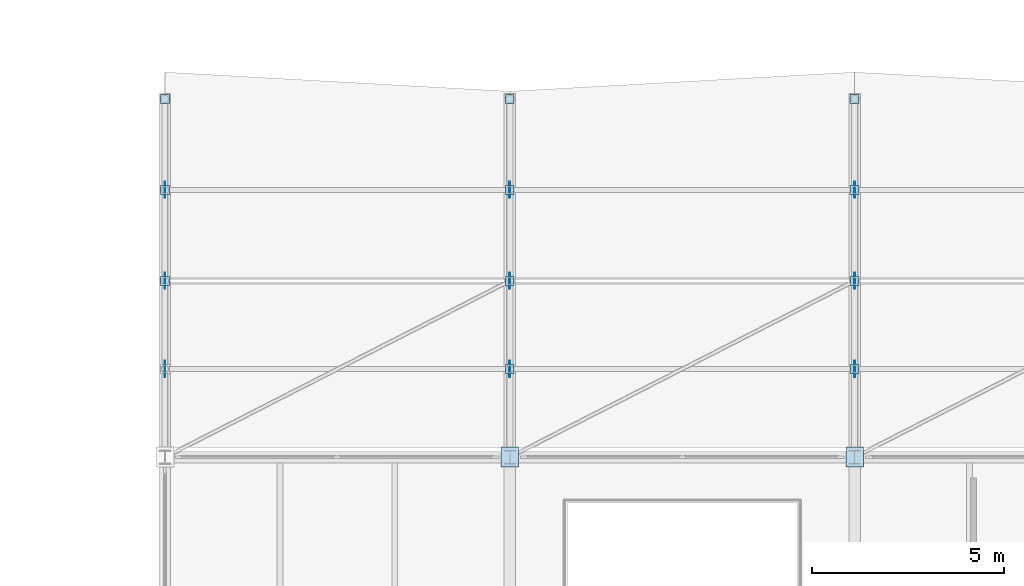
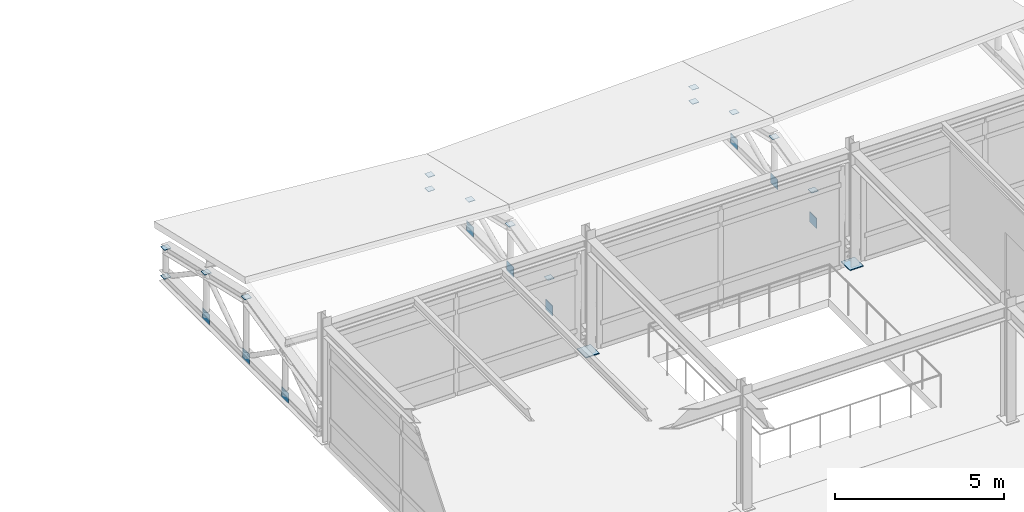
# One storey, part 37 of 55: 25 plates.
"""IFC4 building model written with IfcOpenShell, lengths in metres."""

from ifc_helpers import new_model, si_unit, direction, frame, origin, origin_2d, place, context, subcontext, project, spatial, rectangle, extrude, material, layer, layer_set, type_object, element, save


model = new_model("IFC4")

# Units and contexts
model_context = context("Model", 3, precision=1e-05, world=origin(), true_north=direction((0.0, 1.0)))
body_context = subcontext(model_context, "Body", "Model", "MODEL_VIEW")
ifc_project = project(units=[si_unit("LENGTHUNIT", "METRE"), si_unit("AREAUNIT", "SQUARE_METRE"), si_unit("VOLUMEUNIT", "CUBIC_METRE"), si_unit("PLANEANGLEUNIT", "RADIAN"), si_unit("MASSUNIT", "GRAM", prefix="KILO")], contexts=[model_context])

# Site, building, storey
site_placement = place(None, origin())
site = spatial("IfcSite", under=ifc_project, at=site_placement, CompositionType="ELEMENT")
building_placement = place(site_placement, origin())
building = spatial("IfcBuilding", under=site, at=building_placement, Name="Bozkorgan Art Gallery", CompositionType="ELEMENT")
storey_placement = place(building_placement, frame((0.0, 0.0, 15.0)))
storey = spatial("IfcBuildingStorey", under=building, at=storey_placement, Name="L03", CompositionType="ELEMENT", Elevation=15.0)

# Plates
ifc_material = material(Name="Steel S355J2", Category="steel")
ifc_layer_1 = layer(ifc_material, 0.031982421875, Name="Steel S355J2")
ifc_layer_set_1 = layer_set([ifc_layer_1], Name="Steel S355J2")
plate_type_1 = type_object("IfcPlateType", Name="PLATE-BP-73", PredefinedType="USERDEFINED", material=ifc_layer_set_1)
for number, where, z_axis, x_axis, name in (
    (1, (83.0, 84.39990234375, 0.0), (0.0, 0.0, 1.0), (1.0, 0.0, 0.0), "COL-V4-L03-83-84 base plate"),
    (2, (92.0, 84.39990234375, 0.0), (0.0, 0.0, 1.0), (1.0, 0.0, 0.0), "COL-V4-L03-92-84 base plate"),
):
    element("IfcPlate", number, at=place(storey_placement, frame(where, z_axis=z_axis, x_axis=x_axis)), inside=storey, type_object=plate_type_1, Name=name, ObjectType="END CAP PLATE", PredefinedType="USERDEFINED", context=body_context, shape_type="SweptSolid", body=[
        extrude(rectangle(XDim=0.4599609375, YDim=0.52001953125, at=origin_2d()), origin(), (0.0, 0.0, 1.0), 0.031982421875),
    ])
ifc_layer_2 = layer(ifc_material, 0.01611328125, Name="Steel S355J2")
ifc_layer_set_2 = layer_set([ifc_layer_2], Name="Steel S355J2")
plate_type_2 = type_object("IfcPlateType", Name="PLATE-EC-05", PredefinedType="USERDEFINED", material=ifc_layer_set_2)
for number, where, z_axis, x_axis, name in (
    (3, (74.0, 89.0, 2.329345703125), (0.0, 0.0, 1.0), (1.0, 0.0, 0.0), "Truss V4 post cap 1.2"),
    (4, (74.0, 91.375, 1.781005859375), (0.0, 0.0, 1.0), (1.0, 0.0, 0.0), "Truss V4 post cap 1.3"),
    (5, (74.0, 93.75, 1.232666015625), (0.0, 0.0, 1.0), (1.0, 0.0, 0.0), "Truss V4 post cap 1.4"),
    (6, (74.0, 93.75, 0.19189453125), (0.0, 0.0, 1.0), (1.0, 0.0, 0.0), "Truss V4 post base cap 1.4"),
    (7, (83.0, 86.699951171875, 1.27099609375), (0.0, 0.0, 1.0), (1.0, 0.0, 0.0), "Truss V4 post cap 2.1"),
    (8, (83.0, 89.0, 1.802001953125), (0.0, 0.0, 1.0), (1.0, 0.0, 0.0), "Truss V4 post cap 2.2"),
    (9, (83.0, 91.375, 1.253662109375), (0.0, 0.0, 1.0), (1.0, 0.0, 0.0), "Truss V4 post cap 2.3"),
    (10, (83.0, 93.75, 0.705322265625), (0.0, 0.0, 1.0), (1.0, 0.0, 0.0), "Truss V4 post cap 2.4"),
    (11, (83.0, 93.75, 0.19189453125), (0.0, 0.0, 1.0), (1.0, 0.0, 0.0), "Truss V4 post base cap 2.4"),
    (12, (92.0, 86.699951171875, 1.27099609375), (0.0, 0.0, 1.0), (1.0, 0.0, 0.0), "Truss V4 post cap 3.1"),
    (13, (92.0, 89.0, 1.802001953125), (0.0, 0.0, 1.0), (1.0, 0.0, 0.0), "Truss V4 post cap 3.2"),
    (14, (92.0, 91.375, 1.253662109375), (0.0, 0.0, 1.0), (1.0, 0.0, 0.0), "Truss V4 post cap 3.3"),
    (15, (92.0, 93.75, 0.705322265625), (0.0, 0.0, 1.0), (1.0, 0.0, 0.0), "Truss V4 post cap 3.4"),
    (16, (92.0, 93.75, 0.19189453125), (0.0, 0.0, 1.0), (1.0, 0.0, 0.0), "Truss V4 post base cap 3.4"),
):
    element("IfcPlate", number, at=place(storey_placement, frame(where, z_axis=z_axis, x_axis=x_axis)), inside=storey, type_object=plate_type_2, Name=name, ObjectType="END CAP PLATE", PredefinedType="USERDEFINED", context=body_context, shape_type="SweptSolid", body=[
        extrude(rectangle(XDim=0.22998046875, YDim=0.22998046875, at=origin_2d()), origin(), (0.0, 0.0, 1.0), 0.01611328125),
    ])
ifc_layer_3 = layer(ifc_material, 0.02392578125, Name="Steel S355J2")
ifc_layer_set_3 = layer_set([ifc_layer_3], Name="Steel S355J2")
plate_type_3 = type_object("IfcPlateType", Name="PLATE-GP-38", PredefinedType="USERDEFINED", material=ifc_layer_set_3)
for number, where, z_axis, x_axis, name in (
    (17, (74.0, 89.0, 0.02001953125), (0.0, 0.0, 1.0), (1.0, 0.0, 0.0), "Truss V4 span 1 node gusset TN-2"),
    (18, (83.0, 89.0, 0.02001953125), (0.0, 0.0, 1.0), (1.0, 0.0, 0.0), "Truss V4 span 2 node gusset TN-2"),
    (19, (92.0, 89.0, 0.02001953125), (0.0, 0.0, 1.0), (1.0, 0.0, 0.0), "Truss V4 span 3 node gusset TN-2"),
):
    element("IfcPlate", number, at=place(storey_placement, frame(where, z_axis=z_axis, x_axis=x_axis)), inside=storey, type_object=plate_type_3, Name=name, ObjectType="GUSSET PLATE", PredefinedType="USERDEFINED", context=body_context, shape_type="SweptSolid", body=[
        extrude(rectangle(XDim=0.02001953125, YDim=0.419921875, at=origin_2d()), origin(), (0.0, 0.0, 1.0), 0.360107421875),
    ])
ifc_layer_4 = layer(ifc_material, 0.02001953125, Name="Steel S355J2")
ifc_layer_set_4 = layer_set([ifc_layer_4], Name="Steel S355J2")
plate_type_4 = type_object("IfcPlateType", Name="PLATE-GP-55", PredefinedType="USERDEFINED", material=ifc_layer_set_4)
for number, where, z_axis, x_axis, name in (
    (20, (74.0, 86.699951171875, 0.02001953125), (0.0, 0.0, 1.0), (1.0, 0.0, 0.0), "Truss V4 span 1 node gusset TN-1"),
    (21, (74.0, 91.375, 0.02001953125), (0.0, 0.0, 1.0), (1.0, 0.0, 0.0), "Truss V4 span 1 node gusset TN-3"),
    (22, (83.0, 86.699951171875, 0.02001953125), (0.0, 0.0, 1.0), (1.0, 0.0, 0.0), "Truss V4 span 2 node gusset TN-1"),
    (23, (83.0, 91.375, 0.02001953125), (0.0, 0.0, 1.0), (1.0, 0.0, 0.0), "Truss V4 span 2 node gusset TN-3"),
    (24, (92.0, 86.699951171875, 0.02001953125), (0.0, 0.0, 1.0), (1.0, 0.0, 0.0), "Truss V4 span 3 node gusset TN-1"),
    (25, (92.0, 91.375, 0.02001953125), (0.0, 0.0, 1.0), (1.0, 0.0, 0.0), "Truss V4 span 3 node gusset TN-3"),
):
    element("IfcPlate", number, at=place(storey_placement, frame(where, z_axis=z_axis, x_axis=x_axis)), inside=storey, type_object=plate_type_4, Name=name, ObjectType="GUSSET PLATE", PredefinedType="USERDEFINED", context=body_context, shape_type="SweptSolid", body=[
        extrude(rectangle(XDim=0.02001953125, YDim=0.419921875, at=origin_2d()), origin(), (0.0, 0.0, 1.0), 0.360107421875),
    ])

save(model, "model.ifc")
